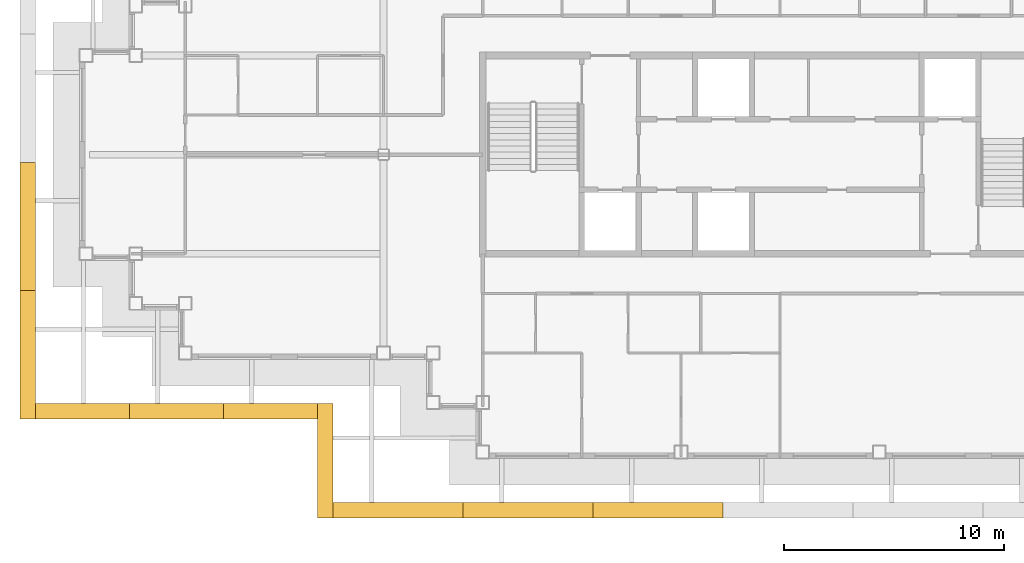
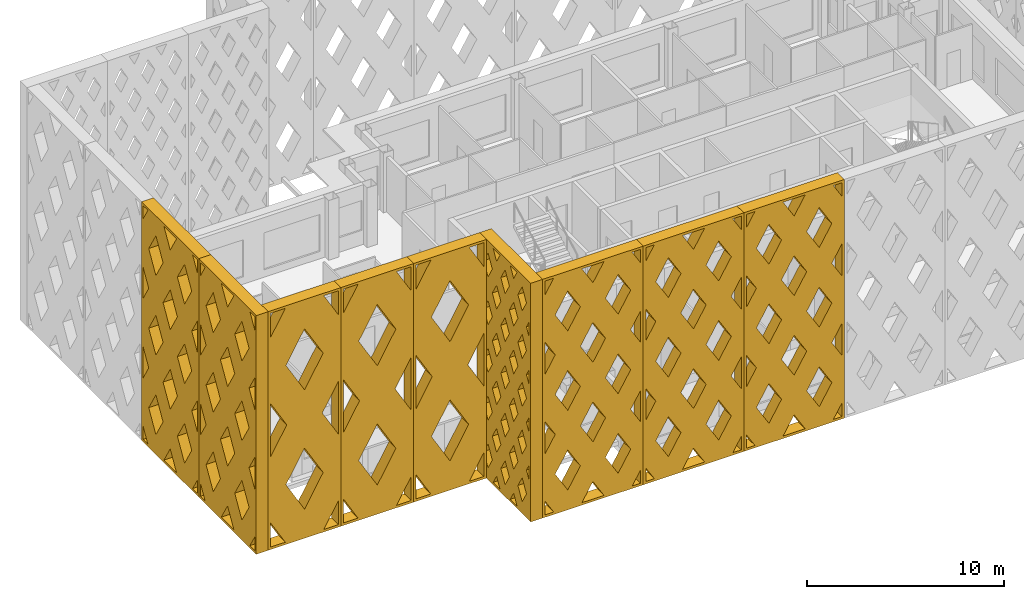
# One storey, part 9 of 15: 9 shading devices.
"""IFC4 building model written with IfcOpenShell, lengths in metres."""

from ifc_helpers import new_model, si_unit, direction, frame, origin, place, context, subcontext, project, spatial, polyline, outline, extrude, material, type_object, element, save


model = new_model("IFC4")

# Units and contexts
model_context = context("Model", 3, precision=1e-05, world=origin(), true_north=direction((0.0, 1.0)))
body_context = subcontext(model_context, "Body", "Model", "MODEL_VIEW")
ifc_project = project(units=[si_unit("LENGTHUNIT", "METRE"), si_unit("AREAUNIT", "SQUARE_METRE"), si_unit("VOLUMEUNIT", "CUBIC_METRE"), si_unit("PLANEANGLEUNIT", "RADIAN"), si_unit("MASSUNIT", "GRAM", prefix="KILO")], contexts=[model_context])

# Site, building, storey
site_placement = place(None, origin())
site = spatial("IfcSite", under=ifc_project, at=site_placement, CompositionType="ELEMENT")
building_placement = place(site_placement, origin())
building = spatial("IfcBuilding", under=site, at=building_placement, Name="Caravel Reach Hotel and Residences", CompositionType="ELEMENT")
storey_placement = place(building_placement, frame((0.0, 0.0, 237.89990234375)))
storey = spatial("IfcBuildingStorey", under=building, at=storey_placement, Name="L60", CompositionType="ELEMENT", Elevation=237.89990234375)

# Shading devices
ifc_material_1 = material(Name="Black powder-coated aluminium", Category="aluminium")
shading_device_type_1 = type_object("IfcShadingDeviceType", Name="Diamond lattice screen panel 4267 x 14800", PredefinedType="USERDEFINED", material=ifc_material_1)
for number, where, z_axis, x_axis, name in (
    (1, (-2.300048828125, 15.699951171875, 0.0), (0.0, -1.0, 0.0), (1.0, 0.0, 0.0), "Lattice screen L60-L63 1.1"),
    (2, (1.966552734375, 15.699951171875, 0.0), (0.0, -1.0, 0.0), (1.0, 0.0, 0.0), "Lattice screen L60-L63 1.2"),
    (3, (6.2333984375, 15.699951171875, 0.0), (0.0, -1.0, 0.0), (1.0, 0.0, 0.0), "Lattice screen L60-L63 1.3"),
):
    element("IfcShadingDevice", number, at=place(storey_placement, frame(where, z_axis=z_axis, x_axis=x_axis)), inside=storey, type_object=shading_device_type_1, Name=name, ObjectType="SCREEN", PredefinedType="USERDEFINED", context=body_context, shape_type="SweptSolid", body=[
        extrude(outline(polyline([(0.0, 0.0), (4.2666015625, 0.0), (4.2666015625, 14.800048828125), (0.0, 14.800048828125), (0.0, 0.0)]), holes=[polyline([(1.005615234375, 0.14990234375), (0.14990234375, 1.634033203125), (0.14990234375, 0.14990234375), (1.005615234375, 0.14990234375)]), polyline([(1.092041015625, 7.39990234375), (0.14990234375, 9.033935546875), (0.14990234375, 5.76611328125), (1.092041015625, 7.39990234375)]), polyline([(0.14990234375, 13.166015625), (1.005615234375, 14.64990234375), (0.14990234375, 14.64990234375), (0.14990234375, 13.166015625)]), polyline([(2.13330078125, 5.593994140625), (1.041259765625, 3.699951171875), (2.13330078125, 1.805908203125), (3.225341796875, 3.699951171875), (2.13330078125, 5.593994140625)]), polyline([(2.13330078125, 12.994140625), (1.041259765625, 11.10009765625), (2.13330078125, 9.205810546875), (3.225341796875, 11.10009765625), (2.13330078125, 12.994140625)]), polyline([(4.11669921875, 1.634033203125), (3.260986328125, 0.14990234375), (4.11669921875, 0.14990234375), (4.11669921875, 1.634033203125)]), polyline([(3.174560546875, 7.39990234375), (4.11669921875, 5.76611328125), (4.11669921875, 9.033935546875), (3.174560546875, 7.39990234375)]), polyline([(3.260986328125, 14.64990234375), (4.11669921875, 13.166015625), (4.11669921875, 14.64990234375), (3.260986328125, 14.64990234375)])]), origin(), (0.0, 0.0, 1.0), 0.699951171875),
    ])
ifc_material_2 = material(Name="Black powder-coated aluminium", Category="aluminium")
shading_device_type_2 = type_object("IfcShadingDeviceType", Name="Diamond lattice screen panel 5200 x 14800", PredefinedType="USERDEFINED", material=ifc_material_2)
shading_device_1_placement = place(storey_placement, frame((11.199951171875, 15.699951171875, 0.0), z_axis=(-1.0, 0.0, 0.0), x_axis=(0.0, -1.0, 0.0)))
element("IfcShadingDevice", 4, at=shading_device_1_placement, inside=storey, type_object=shading_device_type_2, Name="Lattice screen L60-L63 2.1", ObjectType="SCREEN", PredefinedType="USERDEFINED", context=body_context, shape_type="SweptSolid", body=[
    extrude(outline(polyline([(0.0, 0.0), (5.199951171875, 0.0), (5.199951171875, 14.800048828125), (0.0, 14.800048828125), (0.0, 0.0)]), holes=[polyline([(0.436767578125, 2.9599609375), (0.14990234375, 3.449462890625), (0.14990234375, 2.470458984375), (0.436767578125, 2.9599609375)]), polyline([(0.436767578125, 5.919921875), (0.14990234375, 6.409423828125), (0.14990234375, 5.430419921875), (0.436767578125, 5.919921875)]), polyline([(0.436767578125, 8.8798828125), (0.14990234375, 9.36962890625), (0.14990234375, 8.390380859375), (0.436767578125, 8.8798828125)]), polyline([(0.436767578125, 11.840087890625), (0.14990234375, 12.32958984375), (0.14990234375, 11.3505859375), (0.436767578125, 11.840087890625)]), polyline([(0.86669921875, 2.2255859375), (0.429931640625, 1.47998046875), (0.86669921875, 0.734375), (1.30322265625, 1.47998046875), (0.86669921875, 2.2255859375)]), polyline([(0.86669921875, 5.185791015625), (0.429931640625, 4.43994140625), (0.86669921875, 3.6943359375), (1.30322265625, 4.43994140625), (0.86669921875, 5.185791015625)]), polyline([(0.86669921875, 8.145751953125), (0.429931640625, 7.39990234375), (0.86669921875, 6.654296875), (1.30322265625, 7.39990234375), (0.86669921875, 8.145751953125)]), polyline([(0.86669921875, 11.105712890625), (0.429931640625, 10.360107421875), (0.86669921875, 9.6142578125), (1.30322265625, 10.360107421875), (0.86669921875, 11.105712890625)]), polyline([(0.86669921875, 14.065673828125), (0.429931640625, 13.320068359375), (0.86669921875, 12.57421875), (1.30322265625, 13.320068359375), (0.86669921875, 14.065673828125)]), polyline([(1.7333984375, 0.74560546875), (1.384521484375, 0.14990234375), (2.08203125, 0.14990234375), (1.7333984375, 0.74560546875)]), polyline([(1.7333984375, 3.70556640625), (1.296630859375, 2.9599609375), (1.7333984375, 2.21435546875), (2.169921875, 2.9599609375), (1.7333984375, 3.70556640625)]), polyline([(1.7333984375, 6.665771484375), (1.296630859375, 5.919921875), (1.7333984375, 5.17431640625), (2.169921875, 5.919921875), (1.7333984375, 6.665771484375)]), polyline([(1.7333984375, 9.625732421875), (1.296630859375, 8.8798828125), (1.7333984375, 8.13427734375), (2.169921875, 8.8798828125), (1.7333984375, 9.625732421875)]), polyline([(1.7333984375, 12.585693359375), (1.296630859375, 11.840087890625), (1.7333984375, 11.09423828125), (2.169921875, 11.840087890625), (1.7333984375, 12.585693359375)]), polyline([(1.7333984375, 14.054443359375), (2.08203125, 14.64990234375), (1.384521484375, 14.64990234375), (1.7333984375, 14.054443359375)]), polyline([(2.60009765625, 2.2255859375), (2.163330078125, 1.47998046875), (2.60009765625, 0.734375), (3.03662109375, 1.47998046875), (2.60009765625, 2.2255859375)]), polyline([(2.60009765625, 5.185791015625), (2.163330078125, 4.43994140625), (2.60009765625, 3.6943359375), (3.03662109375, 4.43994140625), (2.60009765625, 5.185791015625)]), polyline([(2.60009765625, 8.145751953125), (2.163330078125, 7.39990234375), (2.60009765625, 6.654296875), (3.03662109375, 7.39990234375), (2.60009765625, 8.145751953125)]), polyline([(2.60009765625, 11.105712890625), (2.163330078125, 10.360107421875), (2.60009765625, 9.6142578125), (3.03662109375, 10.360107421875), (2.60009765625, 11.105712890625)]), polyline([(2.60009765625, 14.065673828125), (2.163330078125, 13.320068359375), (2.60009765625, 12.57421875), (3.03662109375, 13.320068359375), (2.60009765625, 14.065673828125)]), polyline([(3.466552734375, 0.74560546875), (3.117919921875, 0.14990234375), (3.8154296875, 0.14990234375), (3.466552734375, 0.74560546875)]), polyline([(3.466552734375, 3.70556640625), (3.030029296875, 2.9599609375), (3.466552734375, 2.21435546875), (3.9033203125, 2.9599609375), (3.466552734375, 3.70556640625)]), polyline([(3.466552734375, 6.665771484375), (3.030029296875, 5.919921875), (3.466552734375, 5.17431640625), (3.9033203125, 5.919921875), (3.466552734375, 6.665771484375)]), polyline([(3.466552734375, 9.625732421875), (3.030029296875, 8.8798828125), (3.466552734375, 8.13427734375), (3.9033203125, 8.8798828125), (3.466552734375, 9.625732421875)]), polyline([(3.466552734375, 12.585693359375), (3.030029296875, 11.840087890625), (3.466552734375, 11.09423828125), (3.9033203125, 11.840087890625), (3.466552734375, 12.585693359375)]), polyline([(3.466552734375, 14.054443359375), (3.8154296875, 14.64990234375), (3.117919921875, 14.64990234375), (3.466552734375, 14.054443359375)]), polyline([(4.333251953125, 2.2255859375), (3.896728515625, 1.47998046875), (4.333251953125, 0.734375), (4.77001953125, 1.47998046875), (4.333251953125, 2.2255859375)]), polyline([(4.333251953125, 5.185791015625), (3.896728515625, 4.43994140625), (4.333251953125, 3.6943359375), (4.77001953125, 4.43994140625), (4.333251953125, 5.185791015625)]), polyline([(4.333251953125, 8.145751953125), (3.896728515625, 7.39990234375), (4.333251953125, 6.654296875), (4.77001953125, 7.39990234375), (4.333251953125, 8.145751953125)]), polyline([(4.333251953125, 11.105712890625), (3.896728515625, 10.360107421875), (4.333251953125, 9.6142578125), (4.77001953125, 10.360107421875), (4.333251953125, 11.105712890625)]), polyline([(4.333251953125, 14.065673828125), (3.896728515625, 13.320068359375), (4.333251953125, 12.57421875), (4.77001953125, 13.320068359375), (4.333251953125, 14.065673828125)]), polyline([(4.763427734375, 2.9599609375), (5.050048828125, 2.470458984375), (5.050048828125, 3.449462890625), (4.763427734375, 2.9599609375)]), polyline([(4.763427734375, 5.919921875), (5.050048828125, 5.430419921875), (5.050048828125, 6.409423828125), (4.763427734375, 5.919921875)]), polyline([(4.763427734375, 8.8798828125), (5.050048828125, 8.390380859375), (5.050048828125, 9.36962890625), (4.763427734375, 8.8798828125)]), polyline([(4.763427734375, 11.840087890625), (5.050048828125, 11.3505859375), (5.050048828125, 12.32958984375), (4.763427734375, 11.840087890625)])]), origin(), (0.0, 0.0, 1.0), 0.699951171875),
])
ifc_material_3 = material(Name="Black powder-coated aluminium", Category="aluminium")
shading_device_type_3 = type_object("IfcShadingDeviceType", Name="Diamond lattice screen panel 5825 x 14800", PredefinedType="USERDEFINED", material=ifc_material_3)
shading_device_2_placement = place(storey_placement, frame((-2.300048828125, 26.64990234375, 0.0), z_axis=(-1.0, 0.0, 0.0), x_axis=(0.0, -1.0, 0.0)))
element("IfcShadingDevice", 5, at=shading_device_2_placement, inside=storey, type_object=shading_device_type_3, Name="Lattice screen L60-L63 8.3", ObjectType="SCREEN", PredefinedType="USERDEFINED", context=body_context, shape_type="SweptSolid", body=[
    extrude(outline(polyline([(0.0, 0.0), (5.824951171875, 0.0), (5.824951171875, 14.800048828125), (0.0, 14.800048828125), (0.0, 0.0)]), holes=[polyline([(0.64208984375, 0.14990234375), (0.14990234375, 0.9833984375), (0.14990234375, 0.14990234375), (0.64208984375, 0.14990234375)]), polyline([(0.730712890625, 4.933349609375), (0.14990234375, 5.916748046875), (0.14990234375, 3.949951171875), (0.730712890625, 4.933349609375)]), polyline([(0.730712890625, 9.86669921875), (0.14990234375, 10.85009765625), (0.14990234375, 8.88330078125), (0.730712890625, 9.86669921875)]), polyline([(0.14990234375, 13.816650390625), (0.64208984375, 14.64990234375), (0.14990234375, 14.64990234375), (0.14990234375, 13.816650390625)]), polyline([(1.456298828125, 3.7041015625), (0.7255859375, 2.466552734375), (1.456298828125, 1.229248046875), (2.186767578125, 2.466552734375), (1.456298828125, 3.7041015625)]), polyline([(1.456298828125, 8.637451171875), (0.7255859375, 7.39990234375), (1.456298828125, 6.16259765625), (2.186767578125, 7.39990234375), (1.456298828125, 8.637451171875)]), polyline([(1.456298828125, 13.57080078125), (0.7255859375, 12.333251953125), (1.456298828125, 11.095703125), (2.186767578125, 12.333251953125), (1.456298828125, 13.57080078125)]), polyline([(2.91259765625, 1.237548828125), (2.2705078125, 0.14990234375), (3.554443359375, 0.14990234375), (2.91259765625, 1.237548828125)]), polyline([(2.91259765625, 6.1708984375), (2.181884765625, 4.933349609375), (2.91259765625, 3.69580078125), (3.64306640625, 4.933349609375), (2.91259765625, 6.1708984375)]), polyline([(2.91259765625, 11.104248046875), (2.181884765625, 9.86669921875), (2.91259765625, 8.629150390625), (3.64306640625, 9.86669921875), (2.91259765625, 11.104248046875)]), polyline([(2.91259765625, 13.5625), (3.554443359375, 14.64990234375), (2.2705078125, 14.64990234375), (2.91259765625, 13.5625)]), polyline([(4.36865234375, 3.7041015625), (3.63818359375, 2.466552734375), (4.36865234375, 1.229248046875), (5.099365234375, 2.466552734375), (4.36865234375, 3.7041015625)]), polyline([(4.36865234375, 8.637451171875), (3.63818359375, 7.39990234375), (4.36865234375, 6.16259765625), (5.099365234375, 7.39990234375), (4.36865234375, 8.637451171875)]), polyline([(4.36865234375, 13.57080078125), (3.63818359375, 12.333251953125), (4.36865234375, 11.095703125), (5.099365234375, 12.333251953125), (4.36865234375, 13.57080078125)]), polyline([(5.675048828125, 0.9833984375), (5.182861328125, 0.14990234375), (5.675048828125, 0.14990234375), (5.675048828125, 0.9833984375)]), polyline([(5.094482421875, 4.933349609375), (5.675048828125, 3.949951171875), (5.675048828125, 5.916748046875), (5.094482421875, 4.933349609375)]), polyline([(5.094482421875, 9.86669921875), (5.675048828125, 8.88330078125), (5.675048828125, 10.85009765625), (5.094482421875, 9.86669921875)]), polyline([(5.182861328125, 14.64990234375), (5.675048828125, 13.816650390625), (5.675048828125, 14.64990234375), (5.182861328125, 14.64990234375)])]), origin(), (0.0, 0.0, 1.0), 0.699951171875),
])
shading_device_3_placement = place(storey_placement, frame((-2.300048828125, 20.824951171875, 0.0), z_axis=(-1.0, 0.0, 0.0), x_axis=(0.0, -1.0, 0.0)))
element("IfcShadingDevice", 6, at=shading_device_3_placement, inside=storey, type_object=shading_device_type_3, Name="Lattice screen L60-L63 8.4", ObjectType="SCREEN", PredefinedType="USERDEFINED", context=body_context, shape_type="SweptSolid", body=[
    extrude(outline(polyline([(0.0, 0.0), (5.824951171875, 0.0), (5.824951171875, 14.800048828125), (0.0, 14.800048828125), (0.0, 0.0)]), holes=[polyline([(0.64208984375, 0.14990234375), (0.14990234375, 0.9833984375), (0.14990234375, 0.14990234375), (0.64208984375, 0.14990234375)]), polyline([(0.730712890625, 4.933349609375), (0.14990234375, 5.916748046875), (0.14990234375, 3.949951171875), (0.730712890625, 4.933349609375)]), polyline([(0.730712890625, 9.86669921875), (0.14990234375, 10.85009765625), (0.14990234375, 8.88330078125), (0.730712890625, 9.86669921875)]), polyline([(0.14990234375, 13.816650390625), (0.64208984375, 14.64990234375), (0.14990234375, 14.64990234375), (0.14990234375, 13.816650390625)]), polyline([(1.456298828125, 3.7041015625), (0.7255859375, 2.466552734375), (1.456298828125, 1.229248046875), (2.186767578125, 2.466552734375), (1.456298828125, 3.7041015625)]), polyline([(1.456298828125, 8.637451171875), (0.7255859375, 7.39990234375), (1.456298828125, 6.16259765625), (2.186767578125, 7.39990234375), (1.456298828125, 8.637451171875)]), polyline([(1.456298828125, 13.57080078125), (0.7255859375, 12.333251953125), (1.456298828125, 11.095703125), (2.186767578125, 12.333251953125), (1.456298828125, 13.57080078125)]), polyline([(2.91259765625, 1.237548828125), (2.2705078125, 0.14990234375), (3.554443359375, 0.14990234375), (2.91259765625, 1.237548828125)]), polyline([(2.91259765625, 6.1708984375), (2.181884765625, 4.933349609375), (2.91259765625, 3.69580078125), (3.64306640625, 4.933349609375), (2.91259765625, 6.1708984375)]), polyline([(2.91259765625, 11.104248046875), (2.181884765625, 9.86669921875), (2.91259765625, 8.629150390625), (3.64306640625, 9.86669921875), (2.91259765625, 11.104248046875)]), polyline([(2.91259765625, 13.5625), (3.554443359375, 14.64990234375), (2.2705078125, 14.64990234375), (2.91259765625, 13.5625)]), polyline([(4.36865234375, 3.7041015625), (3.63818359375, 2.466552734375), (4.36865234375, 1.229248046875), (5.099365234375, 2.466552734375), (4.36865234375, 3.7041015625)]), polyline([(4.36865234375, 8.637451171875), (3.63818359375, 7.39990234375), (4.36865234375, 6.16259765625), (5.099365234375, 7.39990234375), (4.36865234375, 8.637451171875)]), polyline([(4.36865234375, 13.57080078125), (3.63818359375, 12.333251953125), (4.36865234375, 11.095703125), (5.099365234375, 12.333251953125), (4.36865234375, 13.57080078125)]), polyline([(5.675048828125, 0.9833984375), (5.182861328125, 0.14990234375), (5.675048828125, 0.14990234375), (5.675048828125, 0.9833984375)]), polyline([(5.094482421875, 4.933349609375), (5.675048828125, 3.949951171875), (5.675048828125, 5.916748046875), (5.094482421875, 4.933349609375)]), polyline([(5.094482421875, 9.86669921875), (5.675048828125, 8.88330078125), (5.675048828125, 10.85009765625), (5.094482421875, 9.86669921875)]), polyline([(5.182861328125, 14.64990234375), (5.675048828125, 13.816650390625), (5.675048828125, 14.64990234375), (5.182861328125, 14.64990234375)])]), origin(), (0.0, 0.0, 1.0), 0.699951171875),
])
ifc_material_4 = material(Name="Black powder-coated aluminium", Category="aluminium")
shading_device_type_4 = type_object("IfcShadingDeviceType", Name="Diamond lattice screen panel 5900 x 14800", PredefinedType="USERDEFINED", material=ifc_material_4)
shading_device_4_placement = place(storey_placement, frame((11.199951171875, 11.199951171875, 0.0), z_axis=(0.0, -1.0, 0.0), x_axis=(1.0, 0.0, 0.0)))
element("IfcShadingDevice", 7, at=shading_device_4_placement, inside=storey, type_object=shading_device_type_4, Name="Lattice screen L60-L63 3.1", ObjectType="SCREEN", PredefinedType="USERDEFINED", context=body_context, shape_type="SweptSolid", body=[
    extrude(outline(polyline([(0.0, 0.0), (5.89990234375, 0.0), (5.89990234375, 14.800048828125), (0.0, 14.800048828125), (0.0, 0.0)]), holes=[polyline([(0.64990234375, 0.14990234375), (0.14990234375, 0.986083984375), (0.14990234375, 0.14990234375), (0.64990234375, 0.14990234375)]), polyline([(0.739501953125, 4.933349609375), (0.14990234375, 5.91943359375), (0.14990234375, 3.947265625), (0.739501953125, 4.933349609375)]), polyline([(0.739501953125, 9.86669921875), (0.14990234375, 10.852783203125), (0.14990234375, 8.880615234375), (0.739501953125, 9.86669921875)]), polyline([(0.14990234375, 13.81396484375), (0.64990234375, 14.64990234375), (0.14990234375, 14.64990234375), (0.14990234375, 13.81396484375)]), polyline([(1.47509765625, 3.70361328125), (0.7353515625, 2.466552734375), (1.47509765625, 1.229736328125), (2.214599609375, 2.466552734375), (1.47509765625, 3.70361328125)]), polyline([(1.47509765625, 8.636962890625), (0.7353515625, 7.39990234375), (1.47509765625, 6.1630859375), (2.214599609375, 7.39990234375), (1.47509765625, 8.636962890625)]), polyline([(1.47509765625, 13.570068359375), (0.7353515625, 12.333251953125), (1.47509765625, 11.096435546875), (2.214599609375, 12.333251953125), (1.47509765625, 13.570068359375)]), polyline([(2.949951171875, 1.23681640625), (2.300048828125, 0.14990234375), (3.599853515625, 0.14990234375), (2.949951171875, 1.23681640625)]), polyline([(2.949951171875, 6.170166015625), (2.21044921875, 4.933349609375), (2.949951171875, 3.696533203125), (3.689697265625, 4.933349609375), (2.949951171875, 6.170166015625)]), polyline([(2.949951171875, 11.103515625), (2.21044921875, 9.86669921875), (2.949951171875, 8.6298828125), (3.689697265625, 9.86669921875), (2.949951171875, 11.103515625)]), polyline([(2.949951171875, 13.563232421875), (3.599853515625, 14.64990234375), (2.300048828125, 14.64990234375), (2.949951171875, 13.563232421875)]), polyline([(4.425048828125, 3.70361328125), (3.685302734375, 2.466552734375), (4.425048828125, 1.229736328125), (5.16455078125, 2.466552734375), (4.425048828125, 3.70361328125)]), polyline([(4.425048828125, 8.636962890625), (3.685302734375, 7.39990234375), (4.425048828125, 6.1630859375), (5.16455078125, 7.39990234375), (4.425048828125, 8.636962890625)]), polyline([(4.425048828125, 13.570068359375), (3.685302734375, 12.333251953125), (4.425048828125, 11.096435546875), (5.16455078125, 12.333251953125), (4.425048828125, 13.570068359375)]), polyline([(5.75, 0.986083984375), (5.25, 0.14990234375), (5.75, 0.14990234375), (5.75, 0.986083984375)]), polyline([(5.160400390625, 4.933349609375), (5.75, 3.947265625), (5.75, 5.91943359375), (5.160400390625, 4.933349609375)]), polyline([(5.160400390625, 9.86669921875), (5.75, 8.880615234375), (5.75, 10.852783203125), (5.160400390625, 9.86669921875)]), polyline([(5.25, 14.64990234375), (5.75, 13.81396484375), (5.75, 14.64990234375), (5.25, 14.64990234375)])]), origin(), (0.0, 0.0, 1.0), 0.699951171875),
])
shading_device_5_placement = place(storey_placement, frame((17.10009765625, 11.199951171875, 0.0), z_axis=(0.0, -1.0, 0.0), x_axis=(1.0, 0.0, 0.0)))
element("IfcShadingDevice", 8, at=shading_device_5_placement, inside=storey, type_object=shading_device_type_4, Name="Lattice screen L60-L63 3.2", ObjectType="SCREEN", PredefinedType="USERDEFINED", context=body_context, shape_type="SweptSolid", body=[
    extrude(outline(polyline([(0.0, 0.0), (5.89990234375, 0.0), (5.89990234375, 14.800048828125), (0.0, 14.800048828125), (0.0, 0.0)]), holes=[polyline([(0.64990234375, 0.14990234375), (0.14990234375, 0.986083984375), (0.14990234375, 0.14990234375), (0.64990234375, 0.14990234375)]), polyline([(0.739501953125, 4.933349609375), (0.14990234375, 5.91943359375), (0.14990234375, 3.947265625), (0.739501953125, 4.933349609375)]), polyline([(0.739501953125, 9.86669921875), (0.14990234375, 10.852783203125), (0.14990234375, 8.880615234375), (0.739501953125, 9.86669921875)]), polyline([(0.14990234375, 13.81396484375), (0.64990234375, 14.64990234375), (0.14990234375, 14.64990234375), (0.14990234375, 13.81396484375)]), polyline([(1.47509765625, 3.70361328125), (0.7353515625, 2.466552734375), (1.47509765625, 1.229736328125), (2.214599609375, 2.466552734375), (1.47509765625, 3.70361328125)]), polyline([(1.47509765625, 8.636962890625), (0.7353515625, 7.39990234375), (1.47509765625, 6.1630859375), (2.214599609375, 7.39990234375), (1.47509765625, 8.636962890625)]), polyline([(1.47509765625, 13.570068359375), (0.7353515625, 12.333251953125), (1.47509765625, 11.096435546875), (2.214599609375, 12.333251953125), (1.47509765625, 13.570068359375)]), polyline([(2.949951171875, 1.23681640625), (2.300048828125, 0.14990234375), (3.599853515625, 0.14990234375), (2.949951171875, 1.23681640625)]), polyline([(2.949951171875, 6.170166015625), (2.21044921875, 4.933349609375), (2.949951171875, 3.696533203125), (3.689697265625, 4.933349609375), (2.949951171875, 6.170166015625)]), polyline([(2.949951171875, 11.103515625), (2.21044921875, 9.86669921875), (2.949951171875, 8.6298828125), (3.689697265625, 9.86669921875), (2.949951171875, 11.103515625)]), polyline([(2.949951171875, 13.563232421875), (3.599853515625, 14.64990234375), (2.300048828125, 14.64990234375), (2.949951171875, 13.563232421875)]), polyline([(4.425048828125, 3.70361328125), (3.685302734375, 2.466552734375), (4.425048828125, 1.229736328125), (5.16455078125, 2.466552734375), (4.425048828125, 3.70361328125)]), polyline([(4.425048828125, 8.636962890625), (3.685302734375, 7.39990234375), (4.425048828125, 6.1630859375), (5.16455078125, 7.39990234375), (4.425048828125, 8.636962890625)]), polyline([(4.425048828125, 13.570068359375), (3.685302734375, 12.333251953125), (4.425048828125, 11.096435546875), (5.16455078125, 12.333251953125), (4.425048828125, 13.570068359375)]), polyline([(5.75, 0.986083984375), (5.25, 0.14990234375), (5.75, 0.14990234375), (5.75, 0.986083984375)]), polyline([(5.160400390625, 4.933349609375), (5.75, 3.947265625), (5.75, 5.91943359375), (5.160400390625, 4.933349609375)]), polyline([(5.160400390625, 9.86669921875), (5.75, 8.880615234375), (5.75, 10.852783203125), (5.160400390625, 9.86669921875)]), polyline([(5.25, 14.64990234375), (5.75, 13.81396484375), (5.75, 14.64990234375), (5.25, 14.64990234375)])]), origin(), (0.0, 0.0, 1.0), 0.699951171875),
])
shading_device_6_placement = place(storey_placement, frame((23.0, 11.199951171875, 0.0), z_axis=(0.0, -1.0, 0.0), x_axis=(1.0, 0.0, 0.0)))
element("IfcShadingDevice", 9, at=shading_device_6_placement, inside=storey, type_object=shading_device_type_4, Name="Lattice screen L60-L63 3.3", ObjectType="SCREEN", PredefinedType="USERDEFINED", context=body_context, shape_type="SweptSolid", body=[
    extrude(outline(polyline([(0.0, 0.0), (5.89990234375, 0.0), (5.89990234375, 14.800048828125), (0.0, 14.800048828125), (0.0, 0.0)]), holes=[polyline([(0.64990234375, 0.14990234375), (0.14990234375, 0.986083984375), (0.14990234375, 0.14990234375), (0.64990234375, 0.14990234375)]), polyline([(0.739501953125, 4.933349609375), (0.14990234375, 5.91943359375), (0.14990234375, 3.947265625), (0.739501953125, 4.933349609375)]), polyline([(0.739501953125, 9.86669921875), (0.14990234375, 10.852783203125), (0.14990234375, 8.880615234375), (0.739501953125, 9.86669921875)]), polyline([(0.14990234375, 13.81396484375), (0.64990234375, 14.64990234375), (0.14990234375, 14.64990234375), (0.14990234375, 13.81396484375)]), polyline([(1.47509765625, 3.70361328125), (0.7353515625, 2.466552734375), (1.47509765625, 1.229736328125), (2.214599609375, 2.466552734375), (1.47509765625, 3.70361328125)]), polyline([(1.47509765625, 8.636962890625), (0.7353515625, 7.39990234375), (1.47509765625, 6.1630859375), (2.214599609375, 7.39990234375), (1.47509765625, 8.636962890625)]), polyline([(1.47509765625, 13.570068359375), (0.7353515625, 12.333251953125), (1.47509765625, 11.096435546875), (2.214599609375, 12.333251953125), (1.47509765625, 13.570068359375)]), polyline([(2.949951171875, 1.23681640625), (2.300048828125, 0.14990234375), (3.599853515625, 0.14990234375), (2.949951171875, 1.23681640625)]), polyline([(2.949951171875, 6.170166015625), (2.21044921875, 4.933349609375), (2.949951171875, 3.696533203125), (3.689697265625, 4.933349609375), (2.949951171875, 6.170166015625)]), polyline([(2.949951171875, 11.103515625), (2.21044921875, 9.86669921875), (2.949951171875, 8.6298828125), (3.689697265625, 9.86669921875), (2.949951171875, 11.103515625)]), polyline([(2.949951171875, 13.563232421875), (3.599853515625, 14.64990234375), (2.300048828125, 14.64990234375), (2.949951171875, 13.563232421875)]), polyline([(4.425048828125, 3.70361328125), (3.685302734375, 2.466552734375), (4.425048828125, 1.229736328125), (5.16455078125, 2.466552734375), (4.425048828125, 3.70361328125)]), polyline([(4.425048828125, 8.636962890625), (3.685302734375, 7.39990234375), (4.425048828125, 6.1630859375), (5.16455078125, 7.39990234375), (4.425048828125, 8.636962890625)]), polyline([(4.425048828125, 13.570068359375), (3.685302734375, 12.333251953125), (4.425048828125, 11.096435546875), (5.16455078125, 12.333251953125), (4.425048828125, 13.570068359375)]), polyline([(5.75, 0.986083984375), (5.25, 0.14990234375), (5.75, 0.14990234375), (5.75, 0.986083984375)]), polyline([(5.160400390625, 4.933349609375), (5.75, 3.947265625), (5.75, 5.91943359375), (5.160400390625, 4.933349609375)]), polyline([(5.160400390625, 9.86669921875), (5.75, 8.880615234375), (5.75, 10.852783203125), (5.160400390625, 9.86669921875)]), polyline([(5.25, 14.64990234375), (5.75, 13.81396484375), (5.75, 14.64990234375), (5.25, 14.64990234375)])]), origin(), (0.0, 0.0, 1.0), 0.699951171875),
])

save(model, "model.ifc")
